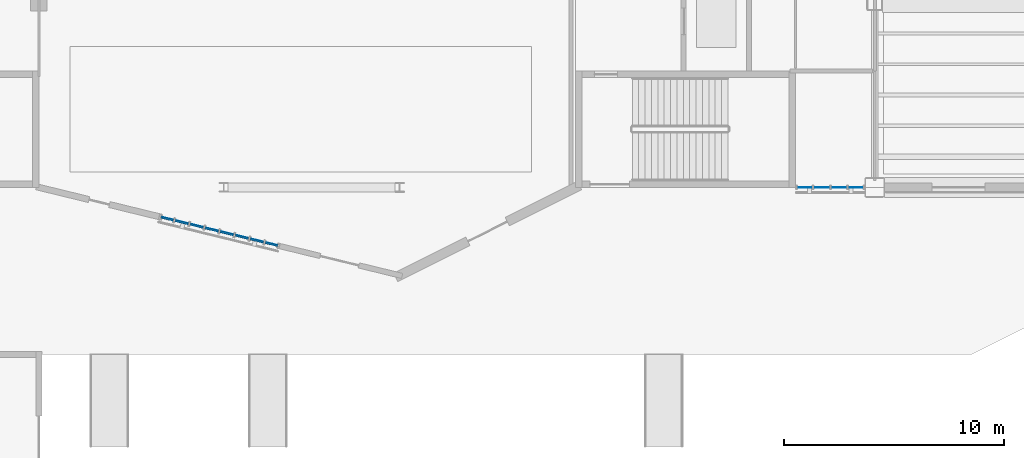
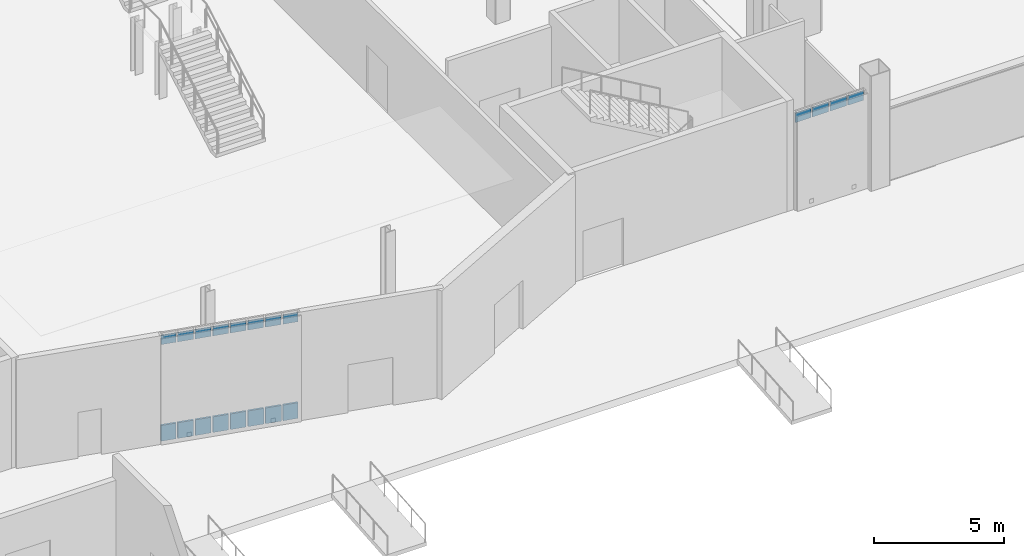
# One storey, part 75 of 111: 20 plates, 2 elements without a shape of their own.
"""IFC4 building model written with IfcOpenShell, lengths in metres."""

from ifc_helpers import new_model, si_unit, direction, frame, origin, origin_2d, place, context, subcontext, project, spatial, rectangle, extrude, material, layer, layer_set, type_object, element, aggregate, save


model = new_model("IFC4")

# Units and contexts
model_context = context("Model", 3, precision=1e-05, world=origin(), true_north=direction((0.0, 1.0)))
body_context = subcontext(model_context, "Body", "Model", "MODEL_VIEW")
ifc_project = project(units=[si_unit("LENGTHUNIT", "METRE"), si_unit("AREAUNIT", "SQUARE_METRE"), si_unit("VOLUMEUNIT", "CUBIC_METRE"), si_unit("PLANEANGLEUNIT", "RADIAN"), si_unit("MASSUNIT", "GRAM", prefix="KILO")], contexts=[model_context])

# Site, building, storey
site_placement = place(None, origin())
site = spatial("IfcSite", under=ifc_project, at=site_placement, CompositionType="ELEMENT")
building_placement = place(site_placement, origin())
building = spatial("IfcBuilding", under=site, at=building_placement, Name="Larkvane Passage Sports Hall", CompositionType="ELEMENT")
storey_placement = place(building_placement, origin())
storey = spatial("IfcBuildingStorey", under=building, at=storey_placement, Name="L00", CompositionType="ELEMENT", Elevation=0.0)

# Curtain wall, plates
ifc_material_1 = material(Name="Thermally broken aluminium and low-E glazing", Category="aluminium")
curtain_wall_type_1 = type_object("IfcCurtainWallType", Name="CW-UNIT-VEIL", PredefinedType="USERDEFINED", material=ifc_material_1)
curtain_wall_1_placement = place(storey_placement, origin())
curtain_wall_1 = element("IfcCurtainWall", 1, at=curtain_wall_1_placement, inside=storey, type_object=curtain_wall_type_1, Name="Curtain wall CW5-L00-025", ObjectType="UNITISED CURTAIN WALL", PredefinedType="USERDEFINED")
ifc_material_2 = material(Name="Mineral-wool insulated spandrel cassette")
ifc_layer_1 = layer(ifc_material_2, 0.0849609375)
ifc_layer_set_1 = layer_set([ifc_layer_1], Name="Mineral-wool insulated spandrel cassette")
plate_type_1 = type_object("IfcPlateType", Name="CWP-SPD-85", PredefinedType="CURTAIN_PANEL", material=ifc_layer_set_1)
plate_1_placement = place(storey_placement, frame((104.17333984375, 20.22119140625, 0.0751953125), z_axis=(0.0, 0.0, 1.0), x_axis=(-0.971516945962, 0.236970090326, 0.0)))
plate_1 = element("IfcPlate", 2, at=plate_1_placement, type_object=plate_type_1, Name="CW-02 panel 1.1", PredefinedType="CURTAIN_PANEL", context=body_context, shape_type="SweptSolid", body=[
    extrude(rectangle(XDim=0.5908203125, YDim=0.0849609375, at=origin_2d()), origin(), (0.0, 0.0, 1.0), 0.737548828125),
])
plate_2_placement = place(storey_placement, frame((103.50830078125, 20.38330078125, 0.0751953125), z_axis=(0.0, 0.0, 1.0), x_axis=(-0.971516945962, 0.236970090326, 0.0)))
plate_2 = element("IfcPlate", 3, at=plate_2_placement, type_object=plate_type_1, Name="CW-02 panel 2.1", PredefinedType="CURTAIN_PANEL", context=body_context, shape_type="SweptSolid", body=[
    extrude(rectangle(XDim=0.62841796875, YDim=0.0849609375, at=origin_2d()), origin(), (0.0, 0.0, 1.0), 0.737548828125),
])
plate_3_placement = place(storey_placement, frame((102.824951171875, 20.550048828125, 0.0751953125), z_axis=(0.0, 0.0, 1.0), x_axis=(-0.971516945962, 0.236970090326, 0.0)))
plate_3 = element("IfcPlate", 4, at=plate_3_placement, type_object=plate_type_1, Name="CW-02 panel 3.1", PredefinedType="CURTAIN_PANEL", context=body_context, shape_type="SweptSolid", body=[
    extrude(rectangle(XDim=0.62841796875, YDim=0.0849609375, at=origin_2d()), origin(), (0.0, 0.0, 1.0), 0.737548828125),
])
plate_4_placement = place(storey_placement, frame((102.1416015625, 20.716552734375, 0.0751953125), z_axis=(0.0, 0.0, 1.0), x_axis=(-0.971516945962, 0.236970090326, 0.0)))
plate_4 = element("IfcPlate", 5, at=plate_4_placement, type_object=plate_type_1, Name="CW-02 panel 4.1", PredefinedType="CURTAIN_PANEL", context=body_context, shape_type="SweptSolid", body=[
    extrude(rectangle(XDim=0.62841796875, YDim=0.0849609375, at=origin_2d()), origin(), (0.0, 0.0, 1.0), 0.737548828125),
])
plate_5_placement = place(storey_placement, frame((101.458251953125, 20.88330078125, 0.0751953125), z_axis=(0.0, 0.0, 1.0), x_axis=(-0.971516945962, 0.236970090326, 0.0)))
plate_5 = element("IfcPlate", 6, at=plate_5_placement, type_object=plate_type_1, Name="CW-02 panel 5.1", PredefinedType="CURTAIN_PANEL", context=body_context, shape_type="SweptSolid", body=[
    extrude(rectangle(XDim=0.62841796875, YDim=0.0849609375, at=origin_2d()), origin(), (0.0, 0.0, 1.0), 0.737548828125),
])
plate_6_placement = place(storey_placement, frame((100.77490234375, 21.050048828125, 0.0751953125), z_axis=(0.0, 0.0, 1.0), x_axis=(-0.971516945962, 0.236970090326, 0.0)))
plate_6 = element("IfcPlate", 7, at=plate_6_placement, type_object=plate_type_1, Name="CW-02 panel 6.1", PredefinedType="CURTAIN_PANEL", context=body_context, shape_type="SweptSolid", body=[
    extrude(rectangle(XDim=0.62841796875, YDim=0.0849609375, at=origin_2d()), origin(), (0.0, 0.0, 1.0), 0.737548828125),
])
plate_7_placement = place(storey_placement, frame((100.091796875, 21.216796875, 0.0751953125), z_axis=(0.0, 0.0, 1.0), x_axis=(-0.971516945962, 0.236970090326, 0.0)))
plate_7 = element("IfcPlate", 8, at=plate_7_placement, type_object=plate_type_1, Name="CW-02 panel 7.1", PredefinedType="CURTAIN_PANEL", context=body_context, shape_type="SweptSolid", body=[
    extrude(rectangle(XDim=0.62841796875, YDim=0.0849609375, at=origin_2d()), origin(), (0.0, 0.0, 1.0), 0.737548828125),
])
plate_8_placement = place(storey_placement, frame((99.426513671875, 21.37890625, 0.0751953125), z_axis=(0.0, 0.0, 1.0), x_axis=(-0.971516945962, 0.236970090326, 0.0)))
plate_8 = element("IfcPlate", 9, at=plate_8_placement, type_object=plate_type_1, Name="CW-02 panel 8.1", PredefinedType="CURTAIN_PANEL", context=body_context, shape_type="SweptSolid", body=[
    extrude(rectangle(XDim=0.5908203125, YDim=0.0849609375, at=origin_2d()), origin(), (0.0, 0.0, 1.0), 0.737548828125),
])

curtain_wall_type_2 = type_object("IfcCurtainWallType", Name="CW-UNIT-COURT", PredefinedType="USERDEFINED", material=ifc_material_1)
curtain_wall_2_placement = place(storey_placement, origin())
curtain_wall_2 = element("IfcCurtainWall", 10, at=curtain_wall_2_placement, inside=storey, type_object=curtain_wall_type_2, Name="Curtain wall CW5-L00-024", ObjectType="UNITISED CURTAIN WALL", PredefinedType="USERDEFINED")
ifc_material_3 = material(Name="Solar-control low-E double glazing", Category="glass")
ifc_layer_2 = layer(ifc_material_3, 0.028076171875)
ifc_layer_set_2 = layer_set([ifc_layer_2], Name="Solar-control low-E double glazing")
plate_type_2 = type_object("IfcPlateType", Name="CWP-VIS-28", PredefinedType="CURTAIN_PANEL", material=ifc_layer_set_2)
plate_9_placement = place(storey_placement, frame((130.74462890625, 22.800048828125, 4.052734375), z_axis=(0.0, 0.0, 1.0), x_axis=(-1.0, 0.0, 0.0)))
plate_9 = element("IfcPlate", 11, at=plate_9_placement, type_object=plate_type_2, Name="CW-01 panel 1.3", PredefinedType="CURTAIN_PANEL", context=body_context, shape_type="SweptSolid", body=[
    extrude(rectangle(XDim=0.6884765625, YDim=0.028076171875, at=origin_2d()), origin(), (0.0, 0.0, 1.0), 0.452392578125),
])
plate_10_placement = place(storey_placement, frame((129.97509765625, 22.800048828125, 4.052734375), z_axis=(0.0, 0.0, 1.0), x_axis=(-1.0, 0.0, 0.0)))
plate_10 = element("IfcPlate", 12, at=plate_10_placement, type_object=plate_type_2, Name="CW-01 panel 2.3", PredefinedType="CURTAIN_PANEL", context=body_context, shape_type="SweptSolid", body=[
    extrude(rectangle(XDim=0.720947265625, YDim=0.028076171875, at=origin_2d()), origin(), (0.0, 0.0, 1.0), 0.452392578125),
])
plate_11_placement = place(storey_placement, frame((129.18896484375, 22.800048828125, 4.052734375), z_axis=(0.0, 0.0, 1.0), x_axis=(-1.0, 0.0, 0.0)))
plate_11 = element("IfcPlate", 13, at=plate_11_placement, type_object=plate_type_2, Name="CW-01 panel 3.3", PredefinedType="CURTAIN_PANEL", context=body_context, shape_type="SweptSolid", body=[
    extrude(rectangle(XDim=0.720947265625, YDim=0.028076171875, at=origin_2d()), origin(), (0.0, 0.0, 1.0), 0.452392578125),
])
plate_12_placement = place(storey_placement, frame((128.419189453125, 22.800048828125, 4.052734375), z_axis=(0.0, 0.0, 1.0), x_axis=(-1.0, 0.0, 0.0)))
plate_12 = element("IfcPlate", 14, at=plate_12_placement, type_object=plate_type_2, Name="CW-01 panel 4.3", PredefinedType="CURTAIN_PANEL", context=body_context, shape_type="SweptSolid", body=[
    extrude(rectangle(XDim=0.6884765625, YDim=0.028076171875, at=origin_2d()), origin(), (0.0, 0.0, 1.0), 0.452392578125),
])
aggregate(curtain_wall_2, [plate_9, plate_10, plate_11, plate_12])

# Plate
ifc_material_4 = material(Name="Laminated acoustic low-E glazing", Category="glass")
ifc_layer_3 = layer(ifc_material_4, 0.031982421875)
ifc_layer_set_3 = layer_set([ifc_layer_3], Name="Laminated acoustic low-E glazing")
plate_type_3 = type_object("IfcPlateType", Name="CWP-VIS-32", PredefinedType="CURTAIN_PANEL", material=ifc_layer_set_3)
plate_13_placement = place(storey_placement, frame((104.17333984375, 20.22119140625, 4.58740234375), z_axis=(0.0, 0.0, 1.0), x_axis=(-0.971516945962, 0.236970090326, 0.0)))
plate_13 = element("IfcPlate", 15, at=plate_13_placement, type_object=plate_type_3, Name="CW-02 panel 1.3", PredefinedType="CURTAIN_PANEL", context=body_context, shape_type="SweptSolid", body=[
    extrude(rectangle(XDim=0.5908203125, YDim=0.031982421875, at=origin_2d()), origin(), (0.0, 0.0, 1.0), 0.4375),
])

plate_14_placement = place(storey_placement, frame((103.50830078125, 20.38330078125, 4.58740234375), z_axis=(0.0, 0.0, 1.0), x_axis=(-0.971516945962, 0.236970090326, 0.0)))
plate_14 = element("IfcPlate", 16, at=plate_14_placement, type_object=plate_type_3, Name="CW-02 panel 2.3", PredefinedType="CURTAIN_PANEL", context=body_context, shape_type="SweptSolid", body=[
    extrude(rectangle(XDim=0.62841796875, YDim=0.031982421875, at=origin_2d()), origin(), (0.0, 0.0, 1.0), 0.4375),
])

plate_15_placement = place(storey_placement, frame((102.824951171875, 20.550048828125, 4.58740234375), z_axis=(0.0, 0.0, 1.0), x_axis=(-0.971516945962, 0.236970090326, 0.0)))
plate_15 = element("IfcPlate", 17, at=plate_15_placement, type_object=plate_type_3, Name="CW-02 panel 3.3", PredefinedType="CURTAIN_PANEL", context=body_context, shape_type="SweptSolid", body=[
    extrude(rectangle(XDim=0.62841796875, YDim=0.031982421875, at=origin_2d()), origin(), (0.0, 0.0, 1.0), 0.4375),
])

plate_16_placement = place(storey_placement, frame((102.1416015625, 20.716552734375, 4.58740234375), z_axis=(0.0, 0.0, 1.0), x_axis=(-0.971516945962, 0.236970090326, 0.0)))
plate_16 = element("IfcPlate", 18, at=plate_16_placement, type_object=plate_type_3, Name="CW-02 panel 4.3", PredefinedType="CURTAIN_PANEL", context=body_context, shape_type="SweptSolid", body=[
    extrude(rectangle(XDim=0.62841796875, YDim=0.031982421875, at=origin_2d()), origin(), (0.0, 0.0, 1.0), 0.4375),
])

plate_17_placement = place(storey_placement, frame((101.458251953125, 20.88330078125, 4.58740234375), z_axis=(0.0, 0.0, 1.0), x_axis=(-0.971516945962, 0.236970090326, 0.0)))
plate_17 = element("IfcPlate", 19, at=plate_17_placement, type_object=plate_type_3, Name="CW-02 panel 5.3", PredefinedType="CURTAIN_PANEL", context=body_context, shape_type="SweptSolid", body=[
    extrude(rectangle(XDim=0.62841796875, YDim=0.031982421875, at=origin_2d()), origin(), (0.0, 0.0, 1.0), 0.4375),
])

plate_18_placement = place(storey_placement, frame((100.77490234375, 21.050048828125, 4.58740234375), z_axis=(0.0, 0.0, 1.0), x_axis=(-0.971516945962, 0.236970090326, 0.0)))
plate_18 = element("IfcPlate", 20, at=plate_18_placement, type_object=plate_type_3, Name="CW-02 panel 6.3", PredefinedType="CURTAIN_PANEL", context=body_context, shape_type="SweptSolid", body=[
    extrude(rectangle(XDim=0.62841796875, YDim=0.031982421875, at=origin_2d()), origin(), (0.0, 0.0, 1.0), 0.4375),
])

plate_19_placement = place(storey_placement, frame((100.091796875, 21.216796875, 4.58740234375), z_axis=(0.0, 0.0, 1.0), x_axis=(-0.971516945962, 0.236970090326, 0.0)))
plate_19 = element("IfcPlate", 21, at=plate_19_placement, type_object=plate_type_3, Name="CW-02 panel 7.3", PredefinedType="CURTAIN_PANEL", context=body_context, shape_type="SweptSolid", body=[
    extrude(rectangle(XDim=0.62841796875, YDim=0.031982421875, at=origin_2d()), origin(), (0.0, 0.0, 1.0), 0.4375),
])

plate_20_placement = place(storey_placement, frame((99.426513671875, 21.37890625, 4.58740234375), z_axis=(0.0, 0.0, 1.0), x_axis=(-0.971516945962, 0.236970090326, 0.0)))
plate_20 = element("IfcPlate", 22, at=plate_20_placement, type_object=plate_type_3, Name="CW-02 panel 8.3", PredefinedType="CURTAIN_PANEL", context=body_context, shape_type="SweptSolid", body=[
    extrude(rectangle(XDim=0.5908203125, YDim=0.031982421875, at=origin_2d()), origin(), (0.0, 0.0, 1.0), 0.4375),
])

aggregate(curtain_wall_1, [plate_1, plate_13, plate_2, plate_14, plate_3, plate_15, plate_4, plate_16, plate_5, plate_17, plate_6, plate_18, plate_7, plate_19, plate_8, plate_20])

save(model, "model.ifc")
